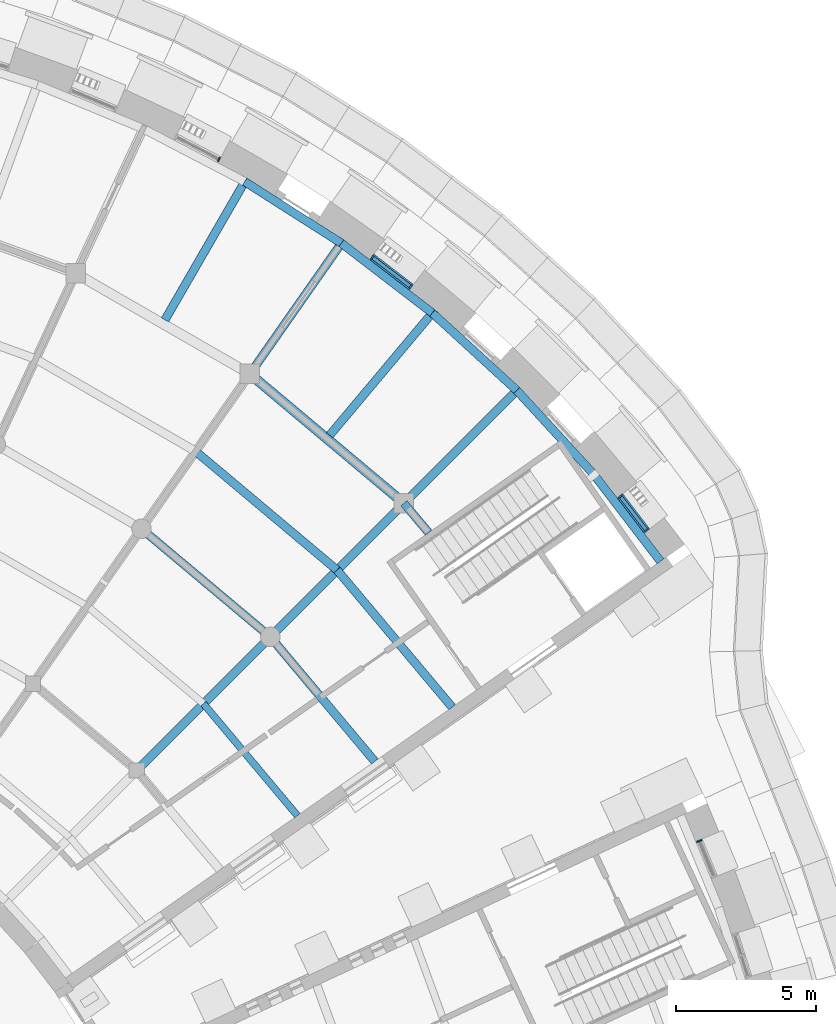
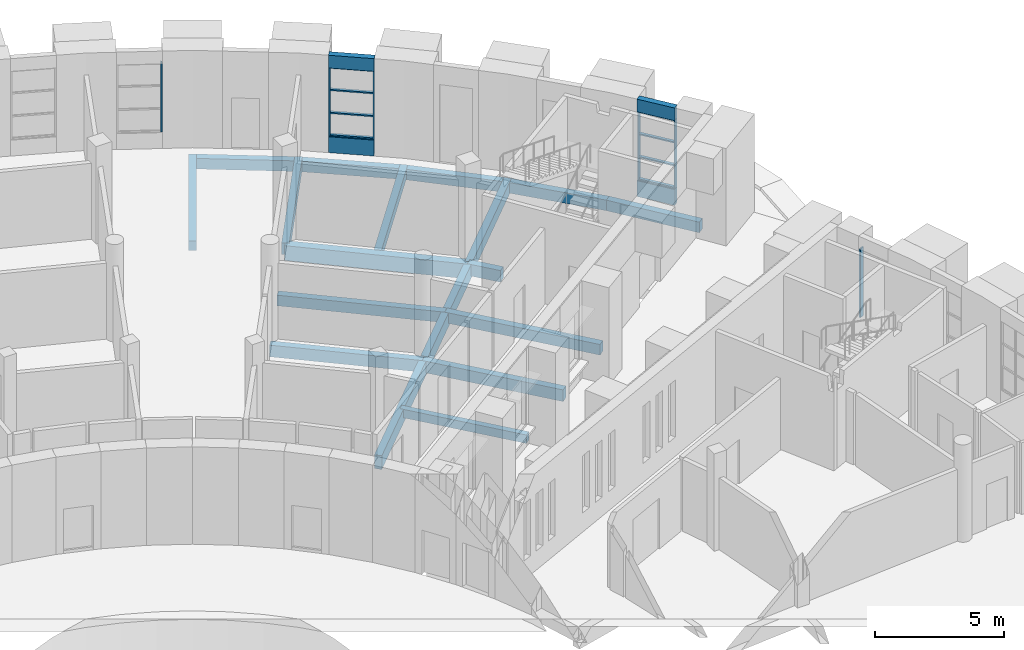
# One storey, part 29 of 85: 22 beams, 14 members, 4 elements without a shape of their own.
"""IFC4 building model written with IfcOpenShell, lengths in metres."""

from ifc_helpers import new_model, si_unit, direction, frame, origin, origin_2d, place, context, subcontext, project, spatial, rectangle, extrude, material, layer, layer_set, material_profile, profile_set, type_object, element, aggregate, save


model = new_model("IFC4")

# Units and contexts
model_context = context("Model", 3, precision=1e-05, world=origin(), true_north=direction((0.0, 1.0)))
body_context = subcontext(model_context, "Body", "Model", "MODEL_VIEW")
ifc_project = project(units=[si_unit("LENGTHUNIT", "METRE"), si_unit("AREAUNIT", "SQUARE_METRE"), si_unit("VOLUMEUNIT", "CUBIC_METRE"), si_unit("PLANEANGLEUNIT", "RADIAN"), si_unit("MASSUNIT", "GRAM", prefix="KILO")], contexts=[model_context])

# Site, building, storey
site_placement = place(None, origin())
site = spatial("IfcSite", under=ifc_project, at=site_placement, CompositionType="ELEMENT")
building_placement = place(site_placement, origin())
building = spatial("IfcBuilding", under=site, at=building_placement, Name="Volute Hill Aquarium", CompositionType="ELEMENT")
storey_placement = place(building_placement, origin())
storey = spatial("IfcBuildingStorey", under=building, at=storey_placement, Name="L01", CompositionType="ELEMENT", Elevation=0.0)

# Beams
ifc_material_1 = material(Name="Concrete C35/45", Category="concrete")
ifc_material_profile_1 = material_profile(ifc_material_1, rectangle(XDim=0.300048828125, YDim=0.550048828125, at=origin_2d()), Name="RC beam 300x550")
ifc_profile_set_1 = profile_set([ifc_material_profile_1], Name="Concrete C35/45")
beam_type_1 = type_object("IfcBeamType", Name="Beam 300x550 C35/45", PredefinedType="BEAM", material=ifc_profile_set_1)
for number, where, z_axis, x_axis, name in (
    (1, (29.194580078125, 29.194580078125, -0.56494140625), (0.707106781187, 0.707106781187, 0.0), (-0.707106781187, 0.707106781187, 0.0), "bm/S5/L01/rad1.4"),
    (2, (23.681396484375, 33.82080078125, -0.56494140625), (0.573602080408, 0.819134087529, 0.0), (-0.819134087529, 0.573602080408, 0.0), "bm/S5/L01/rad2.8"),
):
    element("IfcBeam", number, at=place(storey_placement, frame(where, z_axis=z_axis, x_axis=x_axis)), inside=storey, type_object=beam_type_1, Name=name, PredefinedType="BEAM", context=body_context, shape_type="SweptSolid", body=[
        extrude(rectangle(XDim=0.300048828125, YDim=0.550048828125, at=origin_2d()), origin(), (0.0, 0.0, 1.0), 5.862548828125),
    ])
beam_1_placement = place(storey_placement, frame((28.152099609375, 19.95654296875, -0.56494140625), z_axis=(-0.642785502321, 0.766046211404, 0.0), x_axis=(-0.766046211404, -0.642785502321, 0.0)))
element("IfcBeam", 3, at=beam_1_placement, inside=storey, type_object=beam_type_1, Name="bm/S5/L01/ring2.22", PredefinedType="BEAM", context=body_context, shape_type="SweptSolid", body=[
    extrude(rectangle(XDim=0.300048828125, YDim=0.550048828125, at=origin_2d()), origin(), (0.0, 0.0, 1.0), 5.8173828125),
])
beam_2_placement = place(storey_placement, frame((24.412841796875, 24.412841796875, -0.56494140625), z_axis=(-0.766038816654, 0.642794314986, 0.0), x_axis=(-0.642794314986, -0.766038816654, 0.0)))
element("IfcBeam", 4, at=beam_2_placement, inside=storey, type_object=beam_type_1, Name="bm/S5/L01/ring2.23", PredefinedType="BEAM", context=body_context, shape_type="SweptSolid", body=[
    extrude(rectangle(XDim=0.300048828125, YDim=0.550048828125, at=origin_2d()), origin(), (0.0, 0.0, 1.0), 6.01806640625),
])
beam_3_placement = place(storey_placement, frame((30.078369140625, 28.1416015625, -0.56494140625), z_axis=(-0.642887994538, 0.765960199017, 0.0), x_axis=(-0.765960199017, -0.642887994538, 0.0)))
element("IfcBeam", 5, at=beam_3_placement, inside=storey, type_object=beam_type_1, Name="bm/S5/L01/ring3.27", PredefinedType="BEAM", context=body_context, shape_type="SweptSolid", body=[
    extrude(rectangle(XDim=0.300048828125, YDim=0.550048828125, at=origin_2d()), origin(), (0.0, 0.0, 1.0), 1.374755859375),
])
ifc_material_2 = material(Name="Concrete C35/45", Category="concrete")
ifc_material_profile_2 = material_profile(ifc_material_2, rectangle(XDim=0.300048828125, YDim=0.64990234375, at=origin_2d()), Name="RC beam 300x650")
ifc_profile_set_2 = profile_set([ifc_material_profile_2], Name="Concrete C35/45")
beam_type_2 = type_object("IfcBeamType", Name="Beam 300x650 C35/45", PredefinedType="BEAM", material=ifc_profile_set_2)
for number, where, z_axis, x_axis, name in (
    (6, (19.631103515625, 19.631103515625, -0.614990234375), (0.707106781187, 0.707106781187, 0.0), (-0.707106781187, 0.707106781187, 0.0), "bm/S5/L01/rad1.2"),
    (7, (24.412841796875, 24.412841796875, -0.614990234375), (0.707106781187, 0.707106781187, 0.0), (-0.707106781187, 0.707106781187, 0.0), "bm/S5/L01/rad1.3"),
):
    element("IfcBeam", number, at=place(storey_placement, frame(where, z_axis=z_axis, x_axis=x_axis)), inside=storey, type_object=beam_type_2, Name=name, PredefinedType="BEAM", context=body_context, shape_type="SweptSolid", body=[
        extrude(rectangle(XDim=0.300048828125, YDim=0.64990234375, at=origin_2d()), origin(), (0.0, 0.0, 1.0), 6.762451171875),
    ])
ifc_material_3 = material(Name="Concrete C35/45", Category="concrete")
ifc_material_profile_3 = material_profile(ifc_material_3, rectangle(XDim=0.35009765625, YDim=0.699951171875, at=origin_2d()), Name="RC beam 350x700")
ifc_profile_set_3 = profile_set([ifc_material_profile_3], Name="Concrete C35/45")
beam_type_3 = type_object("IfcBeamType", Name="Beam 350x700 C35/45", PredefinedType="BEAM", material=ifc_profile_set_3)
beam_4_placement = place(storey_placement, frame((29.194580078125, 29.194580078125, -0.639892578125), z_axis=(-0.766036890911, 0.64279660995, 0.0), x_axis=(-0.64279660995, -0.766036890911, 0.0)))
element("IfcBeam", 8, at=beam_4_placement, inside=storey, type_object=beam_type_3, Name="bm/S5/L01/ring3.28", PredefinedType="BEAM", context=body_context, shape_type="SweptSolid", body=[
    extrude(rectangle(XDim=0.35009765625, YDim=0.699951171875, at=origin_2d()), origin(), (0.0, 0.0, 1.0), 7.197021484375),
])

# Curtain wall, member
ifc_material_4 = material(Name="Aluminium", Category="aluminium")
ifc_layer_1 = layer(ifc_material_4, 0.25)
ifc_layer_set_1 = layer_set([ifc_layer_1], Name="Curtain wall niche S4 module 1437")
curtain_wall_type_1 = type_object("IfcCurtainWallType", Name="Curtain wall niche S4 module 1437", PredefinedType="NOTDEFINED", material=ifc_layer_set_1)
curtain_wall_1_placement = place(storey_placement, origin())
curtain_wall_1 = element("IfcCurtainWall", 9, at=curtain_wall_1_placement, inside=storey, type_object=curtain_wall_type_1, Name="Curtain wall CW S4 L01 10", PredefinedType="NOTDEFINED")
ifc_material_5 = material(Name="Aluminium", Category="aluminium")
ifc_material_profile_4 = material_profile(ifc_material_5, rectangle(XDim=0.199951171875, YDim=0.06005859375, at=origin_2d()), Name="Curtain wall mullion S4 60x200")
ifc_profile_set_4 = profile_set([ifc_material_profile_4], Name="Aluminium")
member_type_1 = type_object("IfcMemberType", Name="Curtain wall mullion S4 60x200", PredefinedType="MULLION", material=ifc_profile_set_4)
member_1_placement = place(storey_placement, frame((39.763427734375, 17.107666015625, 0.75), z_axis=(0.0, 0.0, 1.0), x_axis=(-0.923873852375, -0.38269714514, 0.0)))
member_1 = element("IfcMember", 10, at=member_1_placement, type_object=member_type_1, Name="CW mullion 2", PredefinedType="MULLION", context=body_context, shape_type="SweptSolid", body=[
    extrude(rectangle(XDim=0.199951171875, YDim=0.06005859375, at=origin_2d()), origin(), (0.0, 0.0, 1.0), 3.25),
])
aggregate(curtain_wall_1, [member_1])

# Curtain wall, members
ifc_material_6 = material(Name="Aluminium", Category="aluminium")
ifc_layer_2 = layer(ifc_material_6, 0.25)
ifc_layer_set_2 = layer_set([ifc_layer_2], Name="Curtain wall niche S5 module 1585")
curtain_wall_type_2 = type_object("IfcCurtainWallType", Name="Curtain wall niche S5 module 1585", PredefinedType="NOTDEFINED", material=ifc_layer_set_2)
curtain_wall_2_placement = place(storey_placement, origin())
curtain_wall_2 = element("IfcCurtainWall", 11, at=curtain_wall_2_placement, inside=storey, type_object=curtain_wall_type_2, Name="Curtain wall CW S5 L01 1", PredefinedType="NOTDEFINED")
ifc_material_7 = material(Name="Aluminium", Category="aluminium")
ifc_material_profile_5 = material_profile(ifc_material_7, rectangle(XDim=0.159912109375, YDim=0.06005859375, at=origin_2d()), Name="Curtain wall mullion S5 60x160")
ifc_profile_set_5 = profile_set([ifc_material_profile_5], Name="Aluminium")
member_type_2 = type_object("IfcMemberType", Name="Curtain wall mullion S5 60x160", PredefinedType="MULLION", material=ifc_profile_set_5)
member_2_placement = place(storey_placement, frame((37.873046875, 28.225830078125, 0.75), z_axis=(0.0, 0.0, 1.0), x_axis=(-0.793360616468, -0.608751946393, 0.0)))
member_2 = element("IfcMember", 12, at=member_2_placement, type_object=member_type_2, Name="CW mullion 1", PredefinedType="MULLION", context=body_context, shape_type="SweptSolid", body=[
    extrude(rectangle(XDim=0.159912109375, YDim=0.06005859375, at=origin_2d()), origin(), (0.0, 0.0, 1.0), 3.25),
])
member_3_placement = place(storey_placement, frame((36.944580078125, 29.43603515625, 0.75), z_axis=(0.0, 0.0, 1.0), x_axis=(-0.793360616468, -0.608751946393, 0.0)))
member_3 = element("IfcMember", 13, at=member_3_placement, type_object=member_type_2, Name="CW mullion 2", PredefinedType="MULLION", context=body_context, shape_type="SweptSolid", body=[
    extrude(rectangle(XDim=0.159912109375, YDim=0.06005859375, at=origin_2d()), origin(), (0.0, 0.0, 1.0), 3.25),
])

ifc_material_8 = material(Name="Aluminium", Category="aluminium")
ifc_layer_3 = layer(ifc_material_8, 0.25)
ifc_layer_set_3 = layer_set([ifc_layer_3], Name="Curtain wall niche S5 module 1786")
curtain_wall_type_3 = type_object("IfcCurtainWallType", Name="Curtain wall niche S5 module 1786", PredefinedType="NOTDEFINED", material=ifc_layer_set_3)
curtain_wall_3_placement = place(storey_placement, origin())
curtain_wall_3 = element("IfcCurtainWall", 14, at=curtain_wall_3_placement, inside=storey, type_object=curtain_wall_type_3, Name="Curtain wall CW S5 L01 4", PredefinedType="NOTDEFINED")
member_4_placement = place(storey_placement, frame((29.43603515625, 36.944580078125, 0.75), z_axis=(0.0, 0.0, 1.0), x_axis=(-0.608754932261, -0.793358325379, 0.0)))
member_4 = element("IfcMember", 15, at=member_4_placement, type_object=member_type_2, Name="CW mullion 1", PredefinedType="MULLION", context=body_context, shape_type="SweptSolid", body=[
    extrude(rectangle(XDim=0.159912109375, YDim=0.06005859375, at=origin_2d()), origin(), (0.0, 0.0, 1.0), 3.25),
])
member_5_placement = place(storey_placement, frame((28.067138671875, 37.9951171875, 0.75), z_axis=(0.0, 0.0, 1.0), x_axis=(-0.608754932261, -0.793358325379, 0.0)))
member_5 = element("IfcMember", 16, at=member_5_placement, type_object=member_type_2, Name="CW mullion 2", PredefinedType="MULLION", context=body_context, shape_type="SweptSolid", body=[
    extrude(rectangle(XDim=0.159912109375, YDim=0.06005859375, at=origin_2d()), origin(), (0.0, 0.0, 1.0), 3.25),
])

# Curtain wall, member
curtain_wall_4_placement = place(storey_placement, origin())
curtain_wall_4 = element("IfcCurtainWall", 17, at=curtain_wall_4_placement, inside=storey, type_object=curtain_wall_type_3, Name="Curtain wall CW S5 L01 6", PredefinedType="NOTDEFINED")
member_6_placement = place(storey_placement, frame((22.573486328125, 41.494873046875, 0.75), z_axis=(0.0, 0.0, 1.0), x_axis=(-0.461755077763, -0.887007467928, 0.0)))
member_6 = element("IfcMember", 18, at=member_6_placement, type_object=member_type_2, Name="CW mullion 1", PredefinedType="MULLION", context=body_context, shape_type="SweptSolid", body=[
    extrude(rectangle(XDim=0.159912109375, YDim=0.06005859375, at=origin_2d()), origin(), (0.0, 0.0, 1.0), 3.25),
])
aggregate(curtain_wall_4, [member_6])

# Member
ifc_material_9 = material(Name="Aluminium", Category="aluminium")
ifc_material_profile_6 = material_profile(ifc_material_9, rectangle(XDim=0.1298828125, YDim=0.06005859375, at=origin_2d()), Name="Curtain wall transom S5 60x130")
ifc_profile_set_6 = profile_set([ifc_material_profile_6], Name="Aluminium")
member_type_3 = type_object("IfcMemberType", Name="Curtain wall transom S5 60x130", PredefinedType="USERDEFINED", material=ifc_profile_set_6)
member_7_placement = place(storey_placement, frame((37.85498046875, 28.249755859375, 0.780029296875), z_axis=(-0.608760263302, 0.793354234768, 0.0), x_axis=(-0.793354234768, -0.608760263302, 0.0)))
member_7 = element("IfcMember", 19, at=member_7_placement, type_object=member_type_3, Name="CW transom 1.1", ObjectType="TRANSOM", PredefinedType="USERDEFINED", context=body_context, shape_type="SweptSolid", body=[
    extrude(rectangle(XDim=0.1298828125, YDim=0.06005859375, at=origin_2d()), origin(), (0.0, 0.0, 1.0), 1.46533203125),
])

member_8_placement = place(storey_placement, frame((37.85498046875, 28.249755859375, 1.833251953125), z_axis=(-0.608760263302, 0.793354234768, 0.0), x_axis=(-0.793354234768, -0.608760263302, 0.0)))
member_8 = element("IfcMember", 20, at=member_8_placement, type_object=member_type_3, Name="CW transom 1.2", ObjectType="TRANSOM", PredefinedType="USERDEFINED", context=body_context, shape_type="SweptSolid", body=[
    extrude(rectangle(XDim=0.1298828125, YDim=0.06005859375, at=origin_2d()), origin(), (0.0, 0.0, 1.0), 1.46533203125),
])

member_9_placement = place(storey_placement, frame((37.85498046875, 28.249755859375, 2.916748046875), z_axis=(-0.608760263302, 0.793354234768, 0.0), x_axis=(-0.793354234768, -0.608760263302, 0.0)))
member_9 = element("IfcMember", 21, at=member_9_placement, type_object=member_type_3, Name="CW transom 1.3", ObjectType="TRANSOM", PredefinedType="USERDEFINED", context=body_context, shape_type="SweptSolid", body=[
    extrude(rectangle(XDim=0.1298828125, YDim=0.06005859375, at=origin_2d()), origin(), (0.0, 0.0, 1.0), 1.46533203125),
])

member_10_placement = place(storey_placement, frame((37.85498046875, 28.249755859375, 3.969970703125), z_axis=(-0.608760263302, 0.793354234768, 0.0), x_axis=(-0.793354234768, -0.608760263302, 0.0)))
member_10 = element("IfcMember", 22, at=member_10_placement, type_object=member_type_3, Name="CW transom 1.4", ObjectType="TRANSOM", PredefinedType="USERDEFINED", context=body_context, shape_type="SweptSolid", body=[
    extrude(rectangle(XDim=0.1298828125, YDim=0.06005859375, at=origin_2d()), origin(), (0.0, 0.0, 1.0), 1.46533203125),
])

aggregate(curtain_wall_2, [member_2, member_3, member_7, member_8, member_9, member_10])

member_11_placement = place(storey_placement, frame((29.412353515625, 36.962890625, 0.780029296875), z_axis=(-0.793391634362, 0.608711519953, 0.0), x_axis=(-0.608711519953, -0.793391634362, 0.0)))
member_11 = element("IfcMember", 23, at=member_11_placement, type_object=member_type_3, Name="CW transom 1.1", ObjectType="TRANSOM", PredefinedType="USERDEFINED", context=body_context, shape_type="SweptSolid", body=[
    extrude(rectangle(XDim=0.1298828125, YDim=0.06005859375, at=origin_2d()), origin(), (0.0, 0.0, 1.0), 1.665771484375),
])

member_12_placement = place(storey_placement, frame((29.412353515625, 36.962890625, 1.833251953125), z_axis=(-0.793391634362, 0.608711519953, 0.0), x_axis=(-0.608711519953, -0.793391634362, 0.0)))
member_12 = element("IfcMember", 24, at=member_12_placement, type_object=member_type_3, Name="CW transom 1.2", ObjectType="TRANSOM", PredefinedType="USERDEFINED", context=body_context, shape_type="SweptSolid", body=[
    extrude(rectangle(XDim=0.1298828125, YDim=0.06005859375, at=origin_2d()), origin(), (0.0, 0.0, 1.0), 1.665771484375),
])

member_13_placement = place(storey_placement, frame((29.412353515625, 36.962890625, 2.916748046875), z_axis=(-0.793391634362, 0.608711519953, 0.0), x_axis=(-0.608711519953, -0.793391634362, 0.0)))
member_13 = element("IfcMember", 25, at=member_13_placement, type_object=member_type_3, Name="CW transom 1.3", ObjectType="TRANSOM", PredefinedType="USERDEFINED", context=body_context, shape_type="SweptSolid", body=[
    extrude(rectangle(XDim=0.1298828125, YDim=0.06005859375, at=origin_2d()), origin(), (0.0, 0.0, 1.0), 1.665771484375),
])

member_14_placement = place(storey_placement, frame((29.412353515625, 36.962890625, 3.969970703125), z_axis=(-0.793391634362, 0.608711519953, 0.0), x_axis=(-0.608711519953, -0.793391634362, 0.0)))
member_14 = element("IfcMember", 26, at=member_14_placement, type_object=member_type_3, Name="CW transom 1.4", ObjectType="TRANSOM", PredefinedType="USERDEFINED", context=body_context, shape_type="SweptSolid", body=[
    extrude(rectangle(XDim=0.1298828125, YDim=0.06005859375, at=origin_2d()), origin(), (0.0, 0.0, 1.0), 1.665771484375),
])

aggregate(curtain_wall_3, [member_4, member_5, member_11, member_12, member_13, member_14])

# Beams
ifc_material_10 = material(Name="Concrete C35/45", Category="concrete")
ifc_material_profile_7 = material_profile(ifc_material_10, rectangle(XDim=0.300048828125, YDim=0.5, at=origin_2d()), Name="RC edge beam 300x500")
ifc_profile_set_7 = profile_set([ifc_material_profile_7], Name="Concrete C35/45")
beam_type_4 = type_object("IfcBeamType", Name="Edge beam 300x500 C35/45", PredefinedType="BEAM", material=ifc_profile_set_7)
beam_5_placement = place(storey_placement, frame((38.378173828125, 27.11669921875, -0.5400390625), z_axis=(-0.608757400599, 0.793356431382, 0.0), x_axis=(-0.793356431382, -0.608757400599, 0.0)))
element("IfcBeam", 27, at=beam_5_placement, inside=storey, type_object=beam_type_4, Name="bm/S5/L01/edgeO.42", PredefinedType="BEAM", context=body_context, shape_type="SweptSolid", body=[
    extrude(rectangle(XDim=0.300048828125, YDim=0.5, at=origin_2d()), origin(), (0.0, 0.0, 1.0), 3.900146484375),
])
for number, where, z_axis, x_axis, name in (
    (28, (36.00390625, 30.2109375, -0.5400390625), (-0.675589799899, 0.737277710413, 0.0), (-0.737277710413, -0.675589799899, 0.0), "bm/S5/L01/edgeO.43"),
    (29, (33.23388671875, 33.23388671875, -0.5400390625), (-0.737277710413, 0.675589799899, 0.0), (-0.675589799899, -0.737277710413, 0.0), "bm/S5/L01/edgeO.44"),
):
    element("IfcBeam", number, at=place(storey_placement, frame(where, z_axis=z_axis, x_axis=x_axis)), inside=storey, type_object=beam_type_4, Name=name, PredefinedType="BEAM", context=body_context, shape_type="SweptSolid", body=[
        extrude(rectangle(XDim=0.300048828125, YDim=0.5, at=origin_2d()), origin(), (0.0, 0.0, 1.0), 4.10009765625),
    ])
beam_6_placement = place(storey_placement, frame((30.2109375, 36.00390625, -0.5400390625), z_axis=(-0.793349451978, 0.608766496324, 0.0), x_axis=(-0.608766496324, -0.793349451978, 0.0)))
element("IfcBeam", 30, at=beam_6_placement, inside=storey, type_object=beam_type_4, Name="bm/S5/L01/edgeO.45", PredefinedType="BEAM", context=body_context, shape_type="SweptSolid", body=[
    extrude(rectangle(XDim=0.300048828125, YDim=0.5, at=origin_2d()), origin(), (0.0, 0.0, 1.0), 4.100341796875),
])
beam_7_placement = place(storey_placement, frame((26.9580078125, 38.5, -0.5400390625), z_axis=(-0.843376960623, 0.537322344864, 0.0), x_axis=(-0.537322344864, -0.843376960623, 0.0)))
element("IfcBeam", 31, at=beam_7_placement, inside=storey, type_object=beam_type_4, Name="bm/S5/L01/edgeO.46", PredefinedType="BEAM", context=body_context, shape_type="SweptSolid", body=[
    extrude(rectangle(XDim=0.300048828125, YDim=0.5, at=origin_2d()), origin(), (0.0, 0.0, 1.0), 4.10009765625),
])
ifc_material_11 = material(Name="Concrete C35/45", Category="concrete")
ifc_material_profile_8 = material_profile(ifc_material_11, rectangle(XDim=0.25, YDim=0.39990234375, at=origin_2d()), Name="RC joist 250x400")
ifc_profile_set_8 = profile_set([ifc_material_profile_8], Name="Concrete C35/45")
beam_type_5 = type_object("IfcBeamType", Name="Joist 250x400 C35/45", PredefinedType="BEAM", material=ifc_profile_set_8)
beam_8_placement = place(storey_placement, frame((25.38232421875, 18.01708984375, -0.489990234375), z_axis=(-0.642771431377, 0.766058018041, 0.0), x_axis=(-0.766058018041, -0.642771431377, 0.0)))
element("IfcBeam", 32, at=beam_8_placement, inside=storey, type_object=beam_type_5, Name="bm/S5/L01/jst6", PredefinedType="BEAM", context=body_context, shape_type="SweptSolid", body=[
    extrude(rectangle(XDim=0.25, YDim=0.39990234375, at=origin_2d()), origin(), (0.0, 0.0, 1.0), 5.22802734375),
])
ifc_material_12 = material(Name="Concrete C35/45", Category="concrete")
ifc_material_profile_9 = material_profile(ifc_material_12, rectangle(XDim=0.300048828125, YDim=0.449951171875, at=origin_2d()), Name="RC joist 300x450")
ifc_profile_set_9 = profile_set([ifc_material_profile_9], Name="Concrete C35/45")
beam_type_6 = type_object("IfcBeamType", Name="Joist 300x450 C35/45", PredefinedType="BEAM", material=ifc_profile_set_9)
for number, where, z_axis, x_axis, name in (
    (33, (26.5390625, 31.628173828125, -0.514892578125), (0.642802306636, 0.766032110674, 0.0), (-0.766032110674, 0.642802306636, 0.0), "bm/S5/L01/rjst2"),
    (34, (20.643798828125, 35.756103515625, -0.514892578125), (0.500000035988, 0.866025383007, 0.0), (-0.866025383007, 0.500000035988, 0.0), "bm/S5/L01/rjst3"),
):
    element("IfcBeam", number, at=place(storey_placement, frame(where, z_axis=z_axis, x_axis=x_axis)), inside=storey, type_object=beam_type_6, Name=name, PredefinedType="BEAM", context=body_context, shape_type="SweptSolid", body=[
        extrude(rectangle(XDim=0.300048828125, YDim=0.449951171875, at=origin_2d()), origin(), (0.0, 0.0, 1.0), 5.8623046875),
    ])
ifc_material_13 = material(Name="Concrete C35/45", Category="concrete")
ifc_material_profile_10 = material_profile(ifc_material_13, rectangle(XDim=0.300048828125, YDim=0.5, at=origin_2d()), Name="RC joist 300x500")
ifc_profile_set_10 = profile_set([ifc_material_profile_10], Name="Concrete C35/45")
beam_type_7 = type_object("IfcBeamType", Name="Joist 300x500 C35/45", PredefinedType="BEAM", material=ifc_profile_set_10)
beam_9_placement = place(storey_placement, frame((30.921875, 21.89599609375, -0.5400390625), z_axis=(-0.642796984266, 0.766036576815, 0.0), x_axis=(-0.766036576815, -0.642796984266, 0.0)))
element("IfcBeam", 35, at=beam_9_placement, inside=storey, type_object=beam_type_7, Name="bm/S5/L01/jst11", PredefinedType="BEAM", context=body_context, shape_type="SweptSolid", body=[
    extrude(rectangle(XDim=0.300048828125, YDim=0.5, at=origin_2d()), origin(), (0.0, 0.0, 1.0), 6.40673828125),
])
beam_10_placement = place(storey_placement, frame((26.8037109375, 26.8037109375, -0.5400390625), z_axis=(-0.766030134391, 0.642804661779, 0.0), x_axis=(-0.642804661779, -0.766030134391, 0.0)))
element("IfcBeam", 36, at=beam_10_placement, inside=storey, type_object=beam_type_7, Name="bm/S5/L01/jst12", PredefinedType="BEAM", context=body_context, shape_type="SweptSolid", body=[
    extrude(rectangle(XDim=0.300048828125, YDim=0.5, at=origin_2d()), origin(), (0.0, 0.0, 1.0), 6.607421875),
])
ifc_material_14 = material(Name="Concrete C35/45", Category="concrete")
ifc_material_profile_11 = material_profile(ifc_material_14, rectangle(XDim=0.25, YDim=0.60009765625, at=origin_2d()), Name="RC beam 250x600")
ifc_profile_set_11 = profile_set([ifc_material_profile_11], Name="Concrete C35/45")
beam_type_8 = type_object("IfcBeamType", Name="Niche head beam RC 250x600 C35/45", PredefinedType="BEAM", material=ifc_profile_set_11)
beam_11_placement = place(storey_placement, frame((37.891357421875, 28.2021484375, 4.300048828125), z_axis=(-0.608735390594, 0.793373319591, 0.0), x_axis=(-0.793373319591, -0.608735390594, 0.0)))
element("IfcBeam", 37, at=beam_11_placement, inside=storey, type_object=beam_type_8, Name="Niche head beam OWB S5 L01 1", PredefinedType="BEAM", context=body_context, shape_type="SweptSolid", body=[
    extrude(rectangle(XDim=0.25, YDim=0.60009765625, at=origin_2d()), origin(), (0.0, 0.0, 1.0), 1.58544921875),
])
beam_12_placement = place(storey_placement, frame((29.4599609375, 36.92626953125, 4.300048828125), z_axis=(-0.793340036434, 0.608778766541, 0.0), x_axis=(-0.608778766541, -0.793340036434, 0.0)))
element("IfcBeam", 38, at=beam_12_placement, inside=storey, type_object=beam_type_8, Name="Niche head beam OWB S5 L01 4", PredefinedType="BEAM", context=body_context, shape_type="SweptSolid", body=[
    extrude(rectangle(XDim=0.25, YDim=0.60009765625, at=origin_2d()), origin(), (0.0, 0.0, 1.0), 1.785888671875),
])
ifc_material_15 = material(Name="Concrete C35/45", Category="concrete")
ifc_material_profile_12 = material_profile(ifc_material_15, rectangle(XDim=0.25, YDim=0.75, at=origin_2d()), Name="RC beam 250x750")
ifc_profile_set_12 = profile_set([ifc_material_profile_12], Name="Concrete C35/45")
beam_type_9 = type_object("IfcBeamType", Name="Niche sill beam RC 250x750 C35/45", PredefinedType="BEAM", material=ifc_profile_set_12)
beam_13_placement = place(storey_placement, frame((37.891357421875, 28.2021484375, 0.375), z_axis=(-0.608735390594, 0.793373319591, 0.0), x_axis=(-0.793373319591, -0.608735390594, 0.0)))
element("IfcBeam", 39, at=beam_13_placement, inside=storey, type_object=beam_type_9, Name="Niche sill beam OWB S5 L01 1", PredefinedType="BEAM", context=body_context, shape_type="SweptSolid", body=[
    extrude(rectangle(XDim=0.25, YDim=0.75, at=origin_2d()), origin(), (0.0, 0.0, 1.0), 1.58544921875),
])
beam_14_placement = place(storey_placement, frame((29.4599609375, 36.92626953125, 0.375), z_axis=(-0.793340036434, 0.608778766541, 0.0), x_axis=(-0.608778766541, -0.793340036434, 0.0)))
element("IfcBeam", 40, at=beam_14_placement, inside=storey, type_object=beam_type_9, Name="Niche sill beam OWB S5 L01 4", PredefinedType="BEAM", context=body_context, shape_type="SweptSolid", body=[
    extrude(rectangle(XDim=0.25, YDim=0.75, at=origin_2d()), origin(), (0.0, 0.0, 1.0), 1.785888671875),
])

save(model, "model.ifc")
